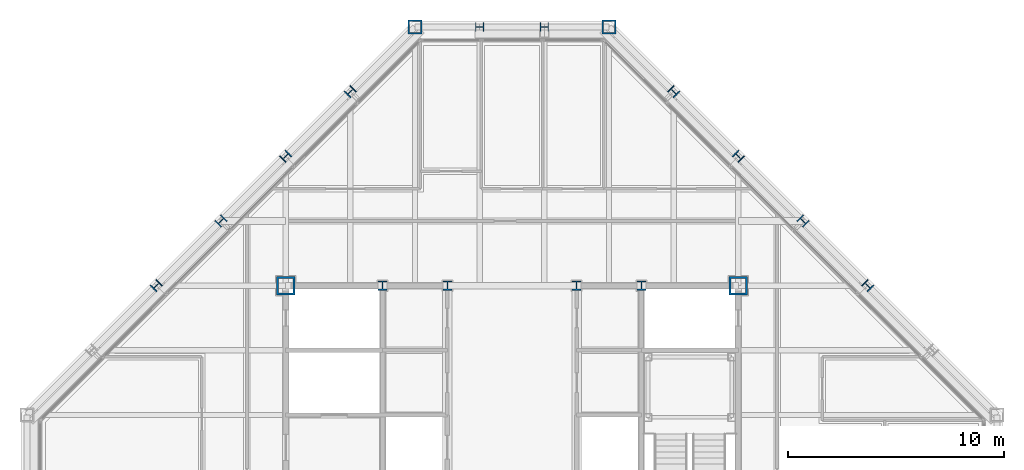
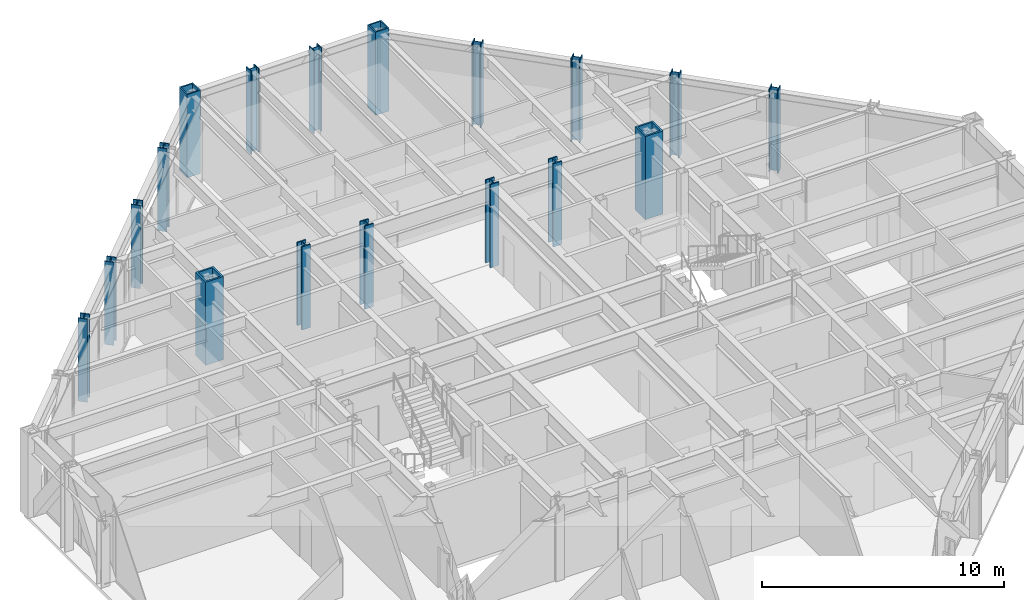
# One storey, part 4 of 15: 18 columns.
"""IFC4 building model written with IfcOpenShell, lengths in metres."""

from ifc_helpers import new_model, si_unit, direction, frame, origin, origin_2d, place, context, subcontext, project, spatial, hollow_rectangle, i_section, extrude, material, material_profile, profile_set, type_object, element, save


model = new_model("IFC4")

# Units and contexts
model_context = context("Model", 3, precision=1e-05, world=origin(), true_north=direction((0.0, 1.0)))
body_context = subcontext(model_context, "Body", "Model", "MODEL_VIEW")
ifc_project = project(units=[si_unit("LENGTHUNIT", "METRE"), si_unit("AREAUNIT", "SQUARE_METRE"), si_unit("VOLUMEUNIT", "CUBIC_METRE"), si_unit("PLANEANGLEUNIT", "RADIAN"), si_unit("MASSUNIT", "GRAM", prefix="KILO")], contexts=[model_context])

# Site, building, storey
site_placement = place(None, origin())
site = spatial("IfcSite", under=ifc_project, at=site_placement, CompositionType="ELEMENT")
building_placement = place(site_placement, origin())
building = spatial("IfcBuilding", under=site, at=building_placement, Name="Chuquiago Exchange Tower", CompositionType="ELEMENT")
storey_placement = place(building_placement, frame((0.0, 0.0, 291.60009765625)))
storey = spatial("IfcBuildingStorey", under=building, at=storey_placement, Name="L65", CompositionType="ELEMENT", Elevation=291.60009765625)

# Columns
ifc_material_1 = material(Name="Steel ASTM A992", Category="steel")
ifc_material_profile_1 = material_profile(ifc_material_1, i_section(OverallWidth=0.4013671875, OverallDepth=0.398681640625, WebThickness=0.02490234375, FlangeThickness=0.03955078125, at=origin_2d()), Name="W14X211")
ifc_profile_set_1 = profile_set([ifc_material_profile_1], Name="Steel ASTM A992")
column_type_1 = type_object("IfcColumnType", Name="C9 W14X211", PredefinedType="COLUMN", material=ifc_profile_set_1)
for number, where, z_axis, x_axis, name in (
    (1, (24.0, 45.0, 0.0), (0.0, 0.0, 1.0), (0.0, 1.0, 0.0), "COL-L65-24_45"),
    (2, (21.0, 45.0, 0.0), (0.0, 0.0, 1.0), (0.0, 1.0, 0.0), "COL-L65-21_45"),
):
    element("IfcColumn", number, at=place(storey_placement, frame(where, z_axis=z_axis, x_axis=x_axis)), inside=storey, type_object=column_type_1, Name=name, PredefinedType="COLUMN", context=body_context, shape_type="SweptSolid", body=[
        extrude(i_section(OverallWidth=0.4013671875, OverallDepth=0.398681640625, WebThickness=0.02490234375, FlangeThickness=0.03955078125, at=origin_2d()), origin(), (0.0, 0.0, 1.0), 4.199951171875),
    ])
ifc_material_2 = material(Name="Steel ASTM A572 Grade 50", Category="steel")
ifc_material_profile_2 = material_profile(ifc_material_2, hollow_rectangle(XDim=0.85009765625, YDim=0.85009765625, WallThickness=0.0849609375, at=origin_2d()), Name="BOX850X850X85")
ifc_profile_set_2 = profile_set([ifc_material_profile_2], Name="Steel ASTM A572 Grade 50")
column_type_2 = type_object("IfcColumnType", Name="CC6 BOX850X850X85", PredefinedType="COLUMN", material=ifc_profile_set_2)
for number, where, z_axis, x_axis, name in (
    (3, (12.0, 33.0, 0.0), (0.0, 0.0, 1.0), (1.0, 0.0, 0.0), "CCOL-L65-12_33"),
    (4, (33.0, 33.0, 0.0), (0.0, 0.0, 1.0), (1.0, 0.0, 0.0), "CCOL-L65-33_33"),
):
    element("IfcColumn", number, at=place(storey_placement, frame(where, z_axis=z_axis, x_axis=x_axis)), inside=storey, type_object=column_type_2, Name=name, PredefinedType="COLUMN", context=body_context, shape_type="SweptSolid", body=[
        extrude(hollow_rectangle(XDim=0.85009765625, YDim=0.85009765625, WallThickness=0.0849609375, at=origin_2d()), origin(), (0.0, 0.0, 1.0), 4.199951171875),
    ])
ifc_material_3 = material(Name="Steel ASTM A992", Category="steel")
ifc_material_profile_3 = material_profile(ifc_material_3, i_section(OverallWidth=0.41650390625, OverallDepth=0.444580078125, WebThickness=0.0390625, FlangeThickness=0.062744140625, at=origin_2d()), Name="W14X342")
ifc_profile_set_3 = profile_set([ifc_material_profile_3], Name="Steel ASTM A992")
column_type_3 = type_object("IfcColumnType", Name="CC9 W14X342", PredefinedType="COLUMN", material=ifc_profile_set_3)
for number, where, z_axis, x_axis, name in (
    (5, (16.5, 33.0, 0.0), (0.0, 0.0, 1.0), (1.0, 0.0, 0.0), "CCOL-L65-16.5_33"),
    (6, (19.5, 33.0, 0.0), (0.0, 0.0, 1.0), (1.0, 0.0, 0.0), "CCOL-L65-19.5_33"),
    (7, (25.5, 33.0, 0.0), (0.0, 0.0, 1.0), (1.0, 0.0, 0.0), "CCOL-L65-25.5_33"),
    (8, (28.5, 33.0, 0.0), (0.0, 0.0, 1.0), (1.0, 0.0, 0.0), "CCOL-L65-28.5_33"),
):
    element("IfcColumn", number, at=place(storey_placement, frame(where, z_axis=z_axis, x_axis=x_axis)), inside=storey, type_object=column_type_3, Name=name, PredefinedType="COLUMN", context=body_context, shape_type="SweptSolid", body=[
        extrude(i_section(OverallWidth=0.41650390625, OverallDepth=0.444580078125, WebThickness=0.0390625, FlangeThickness=0.062744140625, at=origin_2d()), origin(), (0.0, 0.0, 1.0), 4.199951171875),
    ])
ifc_material_4 = material(Name="Steel ASTM A992", Category="steel")
ifc_material_profile_4 = material_profile(ifc_material_4, i_section(OverallWidth=0.40380859375, OverallDepth=0.406494140625, WebThickness=0.027099609375, FlangeThickness=0.043701171875, at=origin_2d()), Name="W14X233")
ifc_profile_set_4 = profile_set([ifc_material_profile_4], Name="Steel ASTM A992")
column_type_4 = type_object("IfcColumnType", Name="CK8 W14X233", PredefinedType="COLUMN", material=ifc_profile_set_4)
for number, where, z_axis, x_axis, name in (
    (9, (39.0, 33.0, 0.0), (0.0, 0.0, 1.0), (0.707106781187, 0.707106781187, 0.0), "COL-L65-39_33"),
    (10, (36.0, 36.0, 0.0), (0.0, 0.0, 1.0), (0.707106781187, 0.707106781187, 0.0), "COL-L65-36_36"),
    (11, (33.0, 39.0, 0.0), (0.0, 0.0, 1.0), (0.707106781187, 0.707106781187, 0.0), "COL-L65-33_39"),
    (12, (30.0, 42.0, 0.0), (0.0, 0.0, 1.0), (0.707106781187, 0.707106781187, 0.0), "COL-L65-30_42"),
    (13, (15.0, 42.0, 0.0), (0.0, 0.0, 1.0), (-0.707106781187, 0.707106781187, 0.0), "COL-L65-15_42"),
    (14, (12.0, 39.0, 0.0), (0.0, 0.0, 1.0), (-0.707106781187, 0.707106781187, 0.0), "COL-L65-12_39"),
    (15, (9.0, 36.0, 0.0), (0.0, 0.0, 1.0), (-0.707106781187, 0.707106781187, 0.0), "COL-L65-9_36"),
    (16, (6.0, 33.0, 0.0), (0.0, 0.0, 1.0), (-0.707106781187, 0.707106781187, 0.0), "COL-L65-6_33"),
):
    element("IfcColumn", number, at=place(storey_placement, frame(where, z_axis=z_axis, x_axis=x_axis)), inside=storey, type_object=column_type_4, Name=name, PredefinedType="COLUMN", context=body_context, shape_type="SweptSolid", body=[
        extrude(i_section(OverallWidth=0.40380859375, OverallDepth=0.406494140625, WebThickness=0.027099609375, FlangeThickness=0.043701171875, at=origin_2d()), origin(), (0.0, 0.0, 1.0), 4.199951171875),
    ])
ifc_material_5 = material(Name="Steel ASTM A572 Grade 50", Category="steel")
ifc_material_profile_5 = material_profile(ifc_material_5, hollow_rectangle(XDim=0.64990234375, YDim=0.64990234375, WallThickness=0.06494140625, at=origin_2d()), Name="BOX650X650X65")
ifc_profile_set_5 = profile_set([ifc_material_profile_5], Name="Steel ASTM A572 Grade 50")
column_type_5 = type_object("IfcColumnType", Name="CN2 BOX650X650X65", PredefinedType="COLUMN", material=ifc_profile_set_5)
for number, where, z_axis, x_axis, name in (
    (17, (27.0, 45.0, 0.0), (0.0, 0.0, 1.0), (0.0, 1.0, 0.0), "COL-L65-27_45"),
    (18, (18.0, 45.0, 0.0), (0.0, 0.0, 1.0), (0.0, 1.0, 0.0), "COL-L65-18_45"),
):
    element("IfcColumn", number, at=place(storey_placement, frame(where, z_axis=z_axis, x_axis=x_axis)), inside=storey, type_object=column_type_5, Name=name, PredefinedType="COLUMN", context=body_context, shape_type="SweptSolid", body=[
        extrude(hollow_rectangle(XDim=0.64990234375, YDim=0.64990234375, WallThickness=0.06494140625, at=origin_2d()), origin(), (0.0, 0.0, 1.0), 4.199951171875),
    ])

save(model, "model.ifc")
